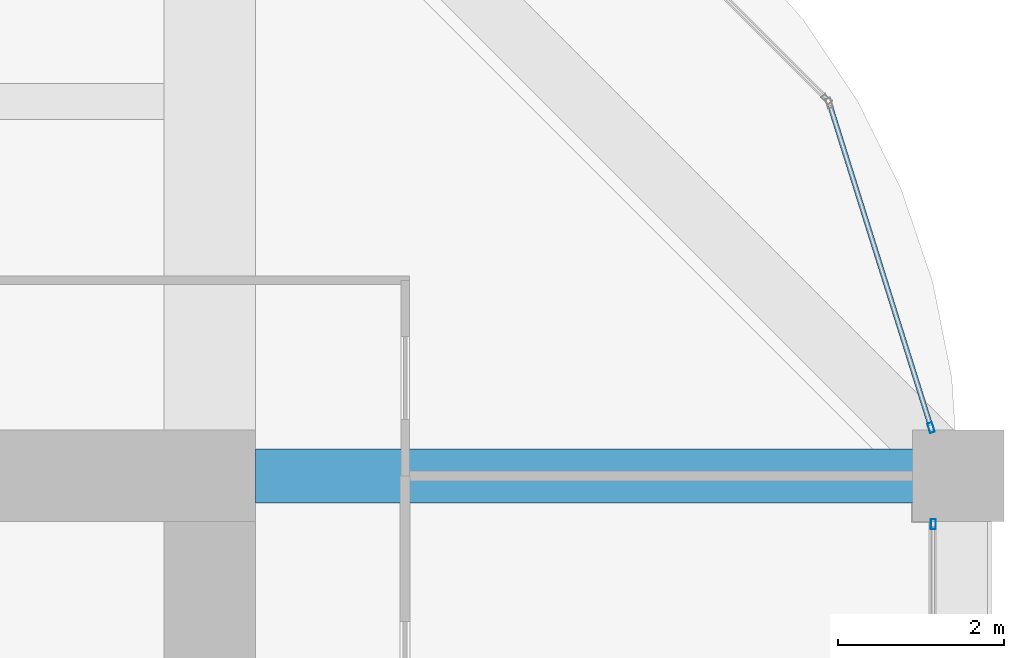
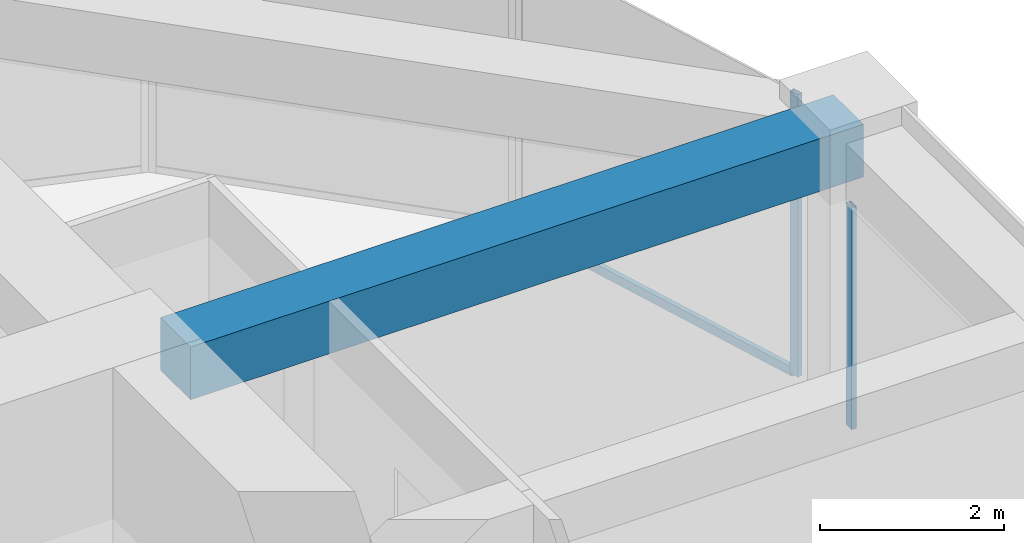
# One storey, part 36 of 45: 3 members, 1 beam, 2 elements without a shape of their own.
"""IFC4 building model written with IfcOpenShell, lengths in metres."""

from ifc_helpers import new_model, si_unit, direction, frame, origin, origin_2d, place, context, subcontext, project, spatial, rectangle, hollow_rectangle, extrude, material, material_profile, profile_set, type_object, element, aggregate, save


model = new_model("IFC4")

# Units and contexts
model_context = context("Model", 3, precision=1e-05, world=origin(), true_north=direction((0.0, 1.0)))
body_context = subcontext(model_context, "Body", "Model", "MODEL_VIEW")
ifc_project = project(units=[si_unit("LENGTHUNIT", "METRE"), si_unit("AREAUNIT", "SQUARE_METRE"), si_unit("VOLUMEUNIT", "CUBIC_METRE"), si_unit("PLANEANGLEUNIT", "RADIAN"), si_unit("MASSUNIT", "GRAM", prefix="KILO")], contexts=[model_context])

# Site, building, storey
site_placement = place(None, origin())
site = spatial("IfcSite", under=ifc_project, at=site_placement, CompositionType="ELEMENT")
building_placement = place(site_placement, origin())
building = spatial("IfcBuilding", under=site, at=building_placement, Name="Zorevar Civic Tower", CompositionType="ELEMENT")
storey_placement = place(building_placement, frame((0.0, 0.0, 291.39990234375)))
storey = spatial("IfcBuildingStorey", under=building, at=storey_placement, Name="L71", CompositionType="ELEMENT", Elevation=291.39990234375)

# Beam
ifc_material_1 = material(Name="Concrete C50/60", Category="concrete")
ifc_material_profile_1 = material_profile(ifc_material_1, rectangle(XDim=0.64990234375, YDim=0.699951171875, at=origin_2d()), Name="RC 650x700")
ifc_profile_set_1 = profile_set([ifc_material_profile_1], Name="Concrete C50/60")
beam_type = type_object("IfcBeamType", Name="Beam RC 650x700", PredefinedType="BEAM", material=ifc_profile_set_1)
beam_placement = place(storey_placement, frame((45.550048828125, 36.0, 3.400146484375), z_axis=(1.0, 0.0, 0.0), x_axis=(0.0, 1.0, 0.0)))
element("IfcBeam", 1, at=beam_placement, inside=storey, type_object=beam_type, Name="Girder L72", PredefinedType="BEAM", context=body_context, shape_type="SweptSolid", body=[
    extrude(rectangle(XDim=0.64990234375, YDim=0.699951171875, at=origin_2d()), origin(), (0.0, 0.0, 1.0), 8.449951171875),
])

# Curtain wall, member
ifc_material_2 = material(Name="Dark grey solar-control glass in black aluminium frame", Category="aluminium")
curtain_wall_type = type_object("IfcCurtainWallType", Name="Curtain wall CW5 top zone", PredefinedType="NOTDEFINED", material=ifc_material_2)
curtain_wall_1_placement = place(storey_placement, origin())
curtain_wall_1 = element("IfcCurtainWall", 2, at=curtain_wall_1_placement, inside=storey, type_object=curtain_wall_type, Name="CW5 L71", PredefinedType="NOTDEFINED")
ifc_material_3 = material(Name="Aluminium, black anodised", Category="aluminium")
ifc_material_profile_2 = material_profile(ifc_material_3, hollow_rectangle(XDim=0.06005859375, YDim=0.1201171875, WallThickness=0.0029296875, at=origin_2d()), Name="AL 120x60x3")
ifc_profile_set_2 = profile_set([ifc_material_profile_2], Name="Aluminium, black anodised")
member_type_1 = type_object("IfcMemberType", Name="CW5 mullion AL 120x60x3", PredefinedType="MULLION", material=ifc_profile_set_2)
member_1_placement = place(storey_placement, frame((53.699951171875, 35.419921875, 0.0), z_axis=(0.0, 0.0, 1.0), x_axis=(-1.0, 0.0, 0.0)))
member_1 = element("IfcMember", 3, at=member_1_placement, type_object=member_type_1, Name="CW5 mullion 3", PredefinedType="MULLION", context=body_context, shape_type="SweptSolid", body=[
    extrude(hollow_rectangle(XDim=0.06005859375, YDim=0.1201171875, WallThickness=0.0029296875, at=origin_2d()), origin(), (0.0, 0.0, 1.0), 2.9501953125),
])
aggregate(curtain_wall_1, [member_1])

# Curtain wall, members
curtain_wall_2_placement = place(storey_placement, origin())
curtain_wall_2 = element("IfcCurtainWall", 4, at=curtain_wall_2_placement, inside=storey, type_object=curtain_wall_type, Name="CW5 L71", PredefinedType="NOTDEFINED")
member_2_placement = place(storey_placement, frame((53.673583984375, 36.57861328125, 0.0), z_axis=(0.0, 0.0, 1.0), x_axis=(-0.954153437674, -0.299317920238, 0.0)))
member_2 = element("IfcMember", 5, at=member_2_placement, type_object=member_type_1, Name="CW5 mullion 1", PredefinedType="MULLION", context=body_context, shape_type="SweptSolid", body=[
    extrude(hollow_rectangle(XDim=0.06005859375, YDim=0.1201171875, WallThickness=0.0029296875, at=origin_2d()), origin(), (0.0, 0.0, 1.0), 3.75),
])
ifc_material_4 = material(Name="Aluminium, black anodised", Category="aluminium")
ifc_material_profile_3 = material_profile(ifc_material_4, hollow_rectangle(XDim=0.06005859375, YDim=0.1201171875, WallThickness=0.0029296875, at=origin_2d()), Name="AL 120x60x3")
ifc_profile_set_3 = profile_set([ifc_material_profile_3], Name="Aluminium, black anodised")
member_type_2 = type_object("IfcMemberType", Name="CW5 transom AL 120x60x3", PredefinedType="USERDEFINED", material=ifc_profile_set_3)
member_3_placement = place(storey_placement, frame((53.66455078125, 36.607177734375, 0.030029296875), z_axis=(-0.299285978047, 0.954163457351, 0.0), x_axis=(-0.954163457351, -0.299285978047, 0.0)))
member_3 = element("IfcMember", 6, at=member_3_placement, type_object=member_type_2, Name="CW5 sill transom", ObjectType="TRANSOM", PredefinedType="USERDEFINED", context=body_context, shape_type="SweptSolid", body=[
    extrude(hollow_rectangle(XDim=0.06005859375, YDim=0.1201171875, WallThickness=0.0029296875, at=origin_2d()), origin(), (0.0, 0.0, 1.0), 4.028076171875),
])
aggregate(curtain_wall_2, [member_2, member_3])

save(model, "model.ifc")
